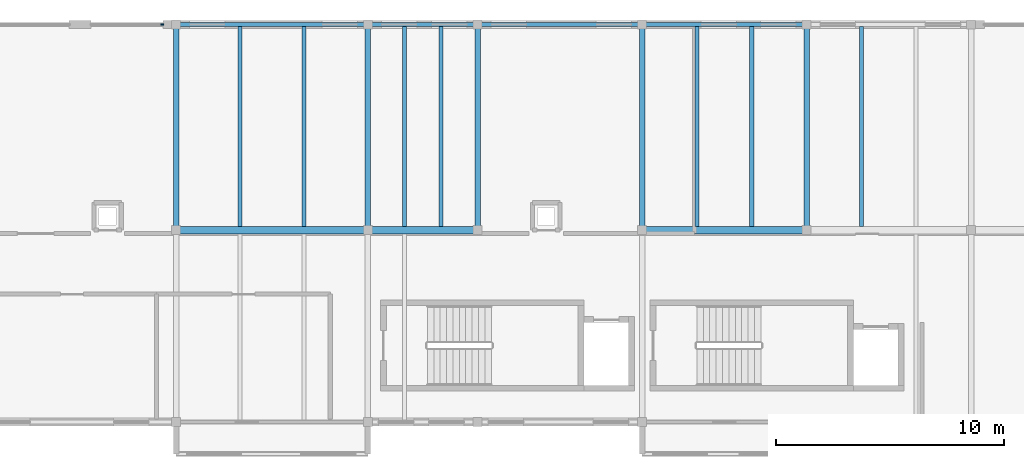
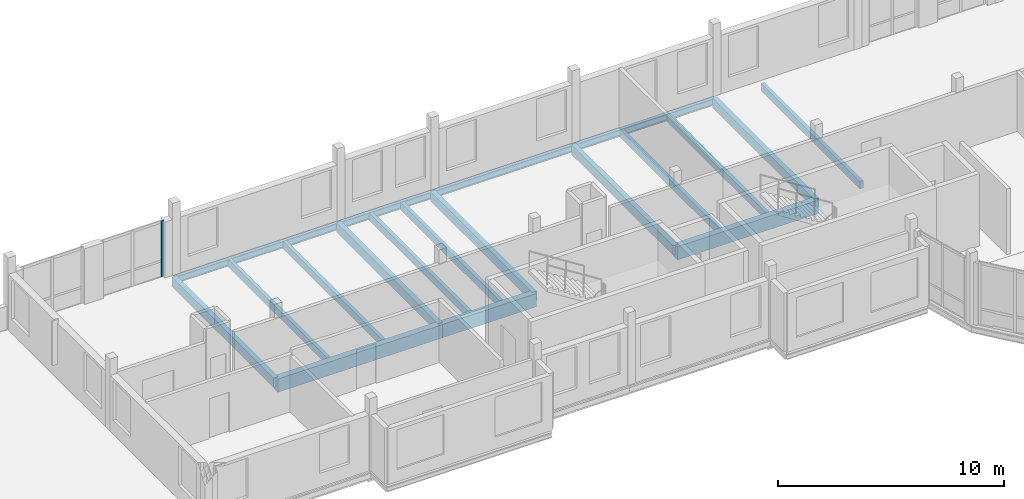
# One storey, part 18 of 57: 19 beams, 1 member, 1 element without a shape of its own.
"""IFC4 building model written with IfcOpenShell, lengths in metres."""

import ifcopenshell
import ifcopenshell.guid

model = None  # the IFC model being written
_history = None  # IfcOwnerHistory: only IFC2X3 demands one
_inside = {}  # id of a spatial element -> (the spatial element, [elements in it])
_under = {}  # id of a project, library or spatial element -> (it, [spatial elements below it])
_declared = {}  # id of a project -> (the project, [libraries it declares])
_typed = {}  # id of a type object -> (the type object, [elements of that type])
_made_of = {}  # id of a material, layer set ... -> (it, [elements and type objects made of it])


def new_model(schema):
    """Start an empty IFC model of exactly this schema.

    Asked for "IFC4X3", IfcOpenShell would pick the latest addendum, in which some entities
    have other attributes; the version numbers below select the first issue.
    IFC2X3 requires an IfcOwnerHistory on every rooted entity: one is made here for all.
    """
    global model, _history
    if schema == "IFC4X3":
        model = ifcopenshell.file(schema_version=(4, 3, 0, 0))
    else:
        model = ifcopenshell.file(schema=schema)
    _inside.clear()
    _under.clear()
    _declared.clear()
    _typed.clear()
    _made_of.clear()
    _history = None
    if model.schema == "IFC2X3":
        org = make("IfcOrganization", Name="unknown")
        user = make(
            "IfcPersonAndOrganization",
            ThePerson=make("IfcPerson", FamilyName="unknown"),
            TheOrganization=org,
        )
        app = make(
            "IfcApplication",
            ApplicationDeveloper=org,
            Version="unknown",
            ApplicationFullName="unknown",
            ApplicationIdentifier="unknown",
        )
        _history = make(
            "IfcOwnerHistory",
            OwningUser=user,
            OwningApplication=app,
            ChangeAction="ADDED",
            CreationDate=0,
        )
    return model


def make(cls, **values):
    """One entity of the class cls with the attributes given. An attribute that is None is left unset."""
    return model.create_entity(
        cls, **{name: value for name, value in values.items() if value is not None}
    )


def rooted(cls, **values):
    """An entity with a GlobalId (a new one), such as an element, a storey or a relation."""
    return make(cls, GlobalId=ifcopenshell.guid.new(), OwnerHistory=_history, **values)


def si_unit(unit_type, name, prefix=None):
    """IfcSIUnit, for example si_unit("LENGTHUNIT", "METRE", prefix="MILLI")."""
    return make("IfcSIUnit", UnitType=unit_type, Prefix=prefix, Name=name)


def assignment(units):
    """IfcUnitAssignment: the units of a project."""
    return None if units is None else make("IfcUnitAssignment", Units=units)


def point(xyz):
    """IfcCartesianPoint."""
    return None if xyz is None else make("IfcCartesianPoint", Coordinates=xyz)


def direction(xyz):
    """IfcDirection."""
    return None if xyz is None else make("IfcDirection", DirectionRatios=xyz)


def frame(location, z_axis=None, x_axis=None):
    """IfcAxis2Placement3D, a coordinate frame: its origin and axes. An axis left out is left unset."""
    return make(
        "IfcAxis2Placement3D",
        Location=point(location),
        Axis=direction(z_axis),
        RefDirection=direction(x_axis),
    )


def frame_2d(location, x_axis=None):
    """IfcAxis2Placement2D, a coordinate frame in the plane: its origin and x axis."""
    return make(
        "IfcAxis2Placement2D", Location=point(location), RefDirection=direction(x_axis)
    )


def origin():
    """The frame at (0, 0, 0) with its axes left unset."""
    return frame((0.0, 0.0, 0.0))


def origin_2d():
    """The frame at (0, 0) in the plane with its x axis left unset."""
    return frame_2d((0.0, 0.0))


def place(relative_to, where):
    """IfcLocalPlacement: puts the frame where relative to a parent placement (None: the world)."""
    return make(
        "IfcLocalPlacement", PlacementRelTo=relative_to, RelativePlacement=where
    )


def context(
    kind, dimensions, precision=None, world=None, true_north=None, identifier=None
):
    """IfcGeometricRepresentationContext, for example the 3D "Model" context."""
    return make(
        "IfcGeometricRepresentationContext",
        ContextIdentifier=identifier,
        ContextType=kind,
        CoordinateSpaceDimension=dimensions,
        Precision=precision,
        WorldCoordinateSystem=world,
        TrueNorth=true_north,
    )


def subcontext(parent, identifier, kind, view, scale=None):
    """IfcGeometricRepresentationSubContext, for example "Body" below "Model"."""
    return make(
        "IfcGeometricRepresentationSubContext",
        ContextIdentifier=identifier,
        ContextType=kind,
        ParentContext=parent,
        TargetScale=scale,
        TargetView=view,
    )


def project(units=None, contexts=None):
    """IfcProject with its units and contexts."""
    return rooted(
        "IfcProject",
        Name="project",
        RepresentationContexts=contexts,
        UnitsInContext=assignment(units),
    )


def spatial(cls, under=None, at=None, **own):
    """A site, building, storey or space (cls), placed at a placement, below another one or the project."""
    s = rooted(cls, ObjectPlacement=at, **own)
    if under is not None:
        _under.setdefault(under.id(), (under, []))[1].append(s)
    return s


def profile(cls, at=None, kind="AREA", **sizes):
    """A parametric profile (cls). Its sizes go by their IFC names, for example OverallWidth=200.0."""
    return make(cls, ProfileType=kind, Position=at, **sizes)


def rectangle(**sizes):
    """IfcRectangleProfileDef."""
    return profile("IfcRectangleProfileDef", **sizes)


def i_section(**sizes):
    """IfcIShapeProfileDef."""
    return profile("IfcIShapeProfileDef", **sizes)


def extrude(swept, where, along, depth):
    """IfcExtrudedAreaSolid: the profile swept, set in the frame where, extruded along a direction by depth."""
    return make(
        "IfcExtrudedAreaSolid",
        SweptArea=swept,
        Position=where,
        ExtrudedDirection=direction(along),
        Depth=depth,
    )


def shape(context_of_items, identifier, shape_type, items):
    """IfcShapeRepresentation: the items that make up one representation, for example the "Body"."""
    return make(
        "IfcShapeRepresentation",
        ContextOfItems=context_of_items,
        RepresentationIdentifier=identifier,
        RepresentationType=shape_type,
        Items=items,
    )


def material(Name=None, Category=None):
    """IfcMaterial."""
    return make("IfcMaterial", Name=Name, Category=Category)


def material_profile(
    of_material, cross_section, Name=None, Category=None, Priority=None
):
    """IfcMaterialProfile: a cross section and its material."""
    return make(
        "IfcMaterialProfile",
        Name=Name,
        Material=of_material,
        Profile=cross_section,
        Priority=Priority,
        Category=Category,
    )


def profile_set(profiles, Name=None, composite=None):
    """IfcMaterialProfileSet."""
    return make(
        "IfcMaterialProfileSet",
        Name=Name,
        MaterialProfiles=profiles,
        CompositeProfile=composite,
    )


def made_of(thing, what):
    """Note that an element or type object is made of a material, layer set ...; save() writes the relation."""
    if what is not None:
        _made_of.setdefault(what.id(), (what, []))[1].append(thing)
    return thing


def type_object(cls, material=None, **own):
    """A type object (cls), such as IfcWallType, which elements share."""
    return made_of(rooted(cls, **own), material)


def element(
    cls,
    number,
    at=None,
    inside=None,
    cuts=None,
    type_object=None,
    material=None,
    context=None,
    identifier="Body",
    shape_type=None,
    held_by="IfcProductDefinitionShape",
    body=None,
    shapes=None,
    **own,
):
    """One element of the class cls, such as IfcWall. Its Tag is "e" and its number.

    at: its placement. inside: the storey or other place that contains it. cuts: it is an
    opening in that element (IfcRelVoidsElement). A single representation is given by context,
    identifier, shape_type and body (its items); several are given by shapes. held_by: the class
    of the entity that holds the representations. save() writes the other relations.
    """
    e = rooted(cls, Tag="e%d" % number, ObjectPlacement=at, **own)
    if body is not None:
        shapes = [shape(context, identifier, shape_type, body)]
    if shapes is not None:
        e.Representation = make(held_by, Representations=shapes)
    if inside is not None:
        _inside.setdefault(inside.id(), (inside, []))[1].append(e)
    if cuts is not None:
        rooted(
            "IfcRelVoidsElement", RelatingBuildingElement=cuts, RelatedOpeningElement=e
        )
    if type_object is not None:
        _typed.setdefault(type_object.id(), (type_object, []))[1].append(e)
    return made_of(e, material)


def aggregate(whole, parts):
    """IfcRelAggregates: a whole, such as a stair, and the parts it consists of."""
    return rooted("IfcRelAggregates", RelatingObject=whole, RelatedObjects=parts)


def save(model, path):
    """Write the relations noted so far, then the file.

    IfcRelAggregates (storeys below a building ...), IfcRelContainedInSpatialStructure (elements
    in a storey), IfcRelDefinesByType, IfcRelAssociatesMaterial and IfcRelDeclares: one each for
    every whole, place, type object, material and project.
    """
    for whole, parts in _under.values():
        aggregate(whole, parts)
    for where, things in _inside.values():
        rooted(
            "IfcRelContainedInSpatialStructure",
            RelatedElements=things,
            RelatingStructure=where,
        )
    for kind, things in _typed.values():
        rooted("IfcRelDefinesByType", RelatedObjects=things, RelatingType=kind)
    for what, things in _made_of.values():
        rooted("IfcRelAssociatesMaterial", RelatedObjects=things, RelatingMaterial=what)
    for by, libraries in _declared.values():
        rooted("IfcRelDeclares", RelatingContext=by, RelatedDefinitions=libraries)
    model.write(path)


model = new_model("IFC4")

# Units and contexts
model_context = context("Model", 3, precision=1e-05, world=origin(), true_north=direction((0.0, 1.0)))
body_context = subcontext(model_context, "Body", "Model", "MODEL_VIEW")
ifc_project = project(units=[si_unit("LENGTHUNIT", "METRE"), si_unit("AREAUNIT", "SQUARE_METRE"), si_unit("VOLUMEUNIT", "CUBIC_METRE"), si_unit("PLANEANGLEUNIT", "RADIAN"), si_unit("MASSUNIT", "GRAM", prefix="KILO")], contexts=[model_context])

# Site, building, storey
site_placement = place(None, origin())
site = spatial("IfcSite", under=ifc_project, at=site_placement, CompositionType="ELEMENT")
building_placement = place(site_placement, origin())
building = spatial("IfcBuilding", under=site, at=building_placement, Name="Kahlenmark Community Centre", CompositionType="ELEMENT")
storey_placement = place(building_placement, frame((0.0, 0.0, 13.800048828125)))
storey = spatial("IfcBuildingStorey", under=building, at=storey_placement, Name="L03", CompositionType="ELEMENT", Elevation=13.800048828125)

# Beams
ifc_material_1 = material(Name="Glulam GL32h", Category="wood")
ifc_material_profile_1 = material_profile(ifc_material_1, rectangle(XDim=0.239990234375, YDim=0.52001953125, at=origin_2d()), Name="GL32h 240x520")
ifc_profile_set_1 = profile_set([ifc_material_profile_1], Name="Glulam GL32h")
beam_type_1 = type_object("IfcBeamType", Name="BT-BEAM-GL32h240x520", PredefinedType="BEAM", material=ifc_profile_set_1)
for number, where, z_axis, x_axis, name in (
    (1, (37.60009765625, 106.0, -0.47998046875), (0.0, 1.0, 0.0), (-1.0, 0.0, 0.0), "L03 beam BG-GL32h240x520"),
    (2, (46.0, 106.0, -0.47998046875), (0.0, 1.0, 0.0), (-1.0, 0.0, 0.0), "L03 beam BG-GL32h240x520"),
    (3, (50.800048828125, 106.0, -0.47998046875), (0.0, 1.0, 0.0), (-1.0, 0.0, 0.0), "L03 beam BG-GL32h240x520"),
    (4, (58.0, 106.0, -0.47998046875), (0.0, 1.0, 0.0), (-1.0, 0.0, 0.0), "L03 beam BG-GL32h240x520"),
    (5, (65.199951171875, 106.0, -0.47998046875), (0.0, 1.0, 0.0), (-1.0, 0.0, 0.0), "L03 beam BG-GL32h240x520"),
):
    element("IfcBeam", number, at=place(storey_placement, frame(where, z_axis=z_axis, x_axis=x_axis)), inside=storey, type_object=beam_type_1, Name=name, PredefinedType="BEAM", context=body_context, shape_type="SweptSolid", body=[
        extrude(rectangle(XDim=0.239990234375, YDim=0.52001953125, at=origin_2d()), origin(), (0.0, 0.0, 1.0), 9.0),
    ])
ifc_material_profile_2 = material_profile(ifc_material_1, rectangle(XDim=0.320068359375, YDim=0.719970703125, at=origin_2d()), Name="GL32h 320x720")
ifc_profile_set_2 = profile_set([ifc_material_profile_2], Name="Glulam GL32h")
beam_type_2 = type_object("IfcBeamType", Name="BT-BEAM-GL32h320x720", PredefinedType="BEAM", material=ifc_profile_set_2)
beam_1_placement = place(storey_placement, frame((37.60009765625, 106.0, -0.580078125), z_axis=(1.0, 0.0, 0.0), x_axis=(0.0, 1.0, 0.0)))
element("IfcBeam", 6, at=beam_1_placement, inside=storey, type_object=beam_type_2, Name="L03 beam BG-GL32h320x720", PredefinedType="BEAM", context=body_context, shape_type="SweptSolid", body=[
    extrude(rectangle(XDim=0.320068359375, YDim=0.719970703125, at=origin_2d()), origin(), (0.0, 0.0, 1.0), 8.39990234375),
])
beam_2_placement = place(storey_placement, frame((46.0, 106.0, -0.580078125), z_axis=(1.0, 0.0, 0.0), x_axis=(0.0, 1.0, 0.0)))
element("IfcBeam", 7, at=beam_2_placement, inside=storey, type_object=beam_type_2, Name="L03 beam BG-GL32h320x720", PredefinedType="BEAM", context=body_context, shape_type="SweptSolid", body=[
    extrude(rectangle(XDim=0.320068359375, YDim=0.719970703125, at=origin_2d()), origin(), (0.0, 0.0, 1.0), 4.800048828125),
])
beam_3_placement = place(storey_placement, frame((58.0, 106.0, -0.580078125), z_axis=(1.0, 0.0, 0.0), x_axis=(0.0, 1.0, 0.0)))
element("IfcBeam", 8, at=beam_3_placement, inside=storey, type_object=beam_type_2, Name="L03 beam BG-GL32h320x720", PredefinedType="BEAM", context=body_context, shape_type="SweptSolid", body=[
    extrude(rectangle(XDim=0.320068359375, YDim=0.719970703125, at=origin_2d()), origin(), (0.0, 0.0, 1.0), 7.199951171875),
])
ifc_material_2 = material(Name="Glulam GL28h", Category="wood")
ifc_material_profile_3 = material_profile(ifc_material_2, rectangle(XDim=0.179931640625, YDim=0.39990234375, at=origin_2d()), Name="GL28h 180x400")
ifc_profile_set_3 = profile_set([ifc_material_profile_3], Name="Glulam GL28h")
beam_type_3 = type_object("IfcBeamType", Name="BT-JOIST-GL28h180x400", PredefinedType="JOIST", material=ifc_profile_set_3)
for number, where, z_axis, x_axis, name in (
    (9, (40.39990234375, 106.157958984375, -0.420166015625), (0.0, 1.0, 0.0), (-1.0, 0.0, 0.0), "L03 joist BJ-GL28h180x400"),
    (10, (43.199951171875, 106.157958984375, -0.420166015625), (0.0, 1.0, 0.0), (-1.0, 0.0, 0.0), "L03 joist BJ-GL28h180x400"),
    (11, (47.60009765625, 106.157958984375, -0.420166015625), (0.0, 1.0, 0.0), (-1.0, 0.0, 0.0), "L03 joist BJ-GL28h180x400"),
    (12, (49.199951171875, 106.157958984375, -0.420166015625), (0.0, 1.0, 0.0), (-1.0, 0.0, 0.0), "L03 joist BJ-GL28h180x400"),
    (13, (60.39990234375, 106.157958984375, -0.420166015625), (0.0, 1.0, 0.0), (-1.0, 0.0, 0.0), "L03 joist BJ-GL28h180x400"),
    (14, (62.800048828125, 106.157958984375, -0.420166015625), (0.0, 1.0, 0.0), (-1.0, 0.0, 0.0), "L03 joist BJ-GL28h180x400"),
    (15, (67.60009765625, 106.157958984375, -0.420166015625), (0.0, 1.0, 0.0), (-1.0, 0.0, 0.0), "L03 joist BJ-GL28h180x400"),
):
    element("IfcBeam", number, at=place(storey_placement, frame(where, z_axis=z_axis, x_axis=x_axis)), inside=storey, type_object=beam_type_3, Name=name, PredefinedType="JOIST", context=body_context, shape_type="SweptSolid", body=[
        extrude(rectangle(XDim=0.179931640625, YDim=0.39990234375, at=origin_2d()), origin(), (0.0, 0.0, 1.0), 8.759033203125),
    ])
ifc_material_3 = material(Name="Steel S355", Category="steel")
ifc_material_profile_4 = material_profile(ifc_material_3, i_section(OverallWidth=0.169921875, OverallDepth=0.360107421875, WebThickness=0.008056640625, FlangeThickness=0.0126953125, at=origin_2d()), Name="IPE 360")
ifc_profile_set_4 = profile_set([ifc_material_profile_4], Name="Steel S355")
beam_type_4 = type_object("IfcBeamType", Name="BT-SPANDREL-IPE360", PredefinedType="SPANDREL", material=ifc_profile_set_4)
beam_4_placement = place(storey_placement, frame((37.60009765625, 115.0, -0.400146484375), z_axis=(1.0, 0.0, 0.0), x_axis=(0.0, 1.0, 0.0)))
element("IfcBeam", 16, at=beam_4_placement, inside=storey, type_object=beam_type_4, Name="L03 spandrel SP-IPE360", PredefinedType="SPANDREL", context=body_context, shape_type="SweptSolid", body=[
    extrude(i_section(OverallWidth=0.169921875, OverallDepth=0.360107421875, WebThickness=0.008056640625, FlangeThickness=0.0126953125, at=origin_2d()), origin(), (0.0, 0.0, 1.0), 8.39990234375),
])
beam_5_placement = place(storey_placement, frame((46.0, 115.0, -0.400146484375), z_axis=(1.0, 0.0, 0.0), x_axis=(0.0, 1.0, 0.0)))
element("IfcBeam", 17, at=beam_5_placement, inside=storey, type_object=beam_type_4, Name="L03 spandrel SP-IPE360", PredefinedType="SPANDREL", context=body_context, shape_type="SweptSolid", body=[
    extrude(i_section(OverallWidth=0.169921875, OverallDepth=0.360107421875, WebThickness=0.008056640625, FlangeThickness=0.0126953125, at=origin_2d()), origin(), (0.0, 0.0, 1.0), 4.800048828125),
])
for number, where, z_axis, x_axis, name in (
    (18, (50.800048828125, 115.0, -0.400146484375), (1.0, 0.0, 0.0), (0.0, 1.0, 0.0), "L03 spandrel SP-IPE360"),
    (19, (58.0, 115.0, -0.400146484375), (1.0, 0.0, 0.0), (0.0, 1.0, 0.0), "L03 spandrel SP-IPE360"),
):
    element("IfcBeam", number, at=place(storey_placement, frame(where, z_axis=z_axis, x_axis=x_axis)), inside=storey, type_object=beam_type_4, Name=name, PredefinedType="SPANDREL", context=body_context, shape_type="SweptSolid", body=[
        extrude(i_section(OverallWidth=0.169921875, OverallDepth=0.360107421875, WebThickness=0.008056640625, FlangeThickness=0.0126953125, at=origin_2d()), origin(), (0.0, 0.0, 1.0), 7.199951171875),
    ])

# Curtain wall, member
ifc_material_4 = material(Name="Anodised aluminium unitised curtain wall", Category="aluminium")
curtain_wall_type = type_object("IfcCurtainWallType", Name="CWT-UNIT-314X301", PredefinedType="USERDEFINED", material=ifc_material_4)
curtain_wall_placement = place(storey_placement, origin())
curtain_wall = element("IfcCurtainWall", 20, at=curtain_wall_placement, inside=storey, type_object=curtain_wall_type, Name="Unitised curtain wall CW-119", ObjectType="UNITISED CURTAIN WALL", PredefinedType="USERDEFINED")
ifc_material_5 = material(Name="Anodised aluminium 6063-T6", Category="aluminium")
ifc_material_profile_5 = material_profile(ifc_material_5, rectangle(XDim=0.06005859375, YDim=0.139892578125, at=origin_2d()), Name="ALU MULLION 60x140")
ifc_profile_set_5 = profile_set([ifc_material_profile_5], Name="Anodised aluminium 6063-T6")
member_type = type_object("IfcMemberType", Name="MT-MUL-140", PredefinedType="MULLION", material=ifc_profile_set_5)
member_placement = place(storey_placement, frame((36.989990234375, 115.0, 0.0), z_axis=(0.0, 0.0, 1.0), x_axis=(0.0, -1.0, 0.0)))
member = element("IfcMember", 21, at=member_placement, type_object=member_type, Name="CW-119 mullion 1", PredefinedType="MULLION", context=body_context, shape_type="SweptSolid", body=[
    extrude(rectangle(XDim=0.06005859375, YDim=0.139892578125, at=origin_2d()), origin(), (0.0, 0.0, 1.0), 3.010009765625),
])
aggregate(curtain_wall, [member])

save(model, "model.ifc")
